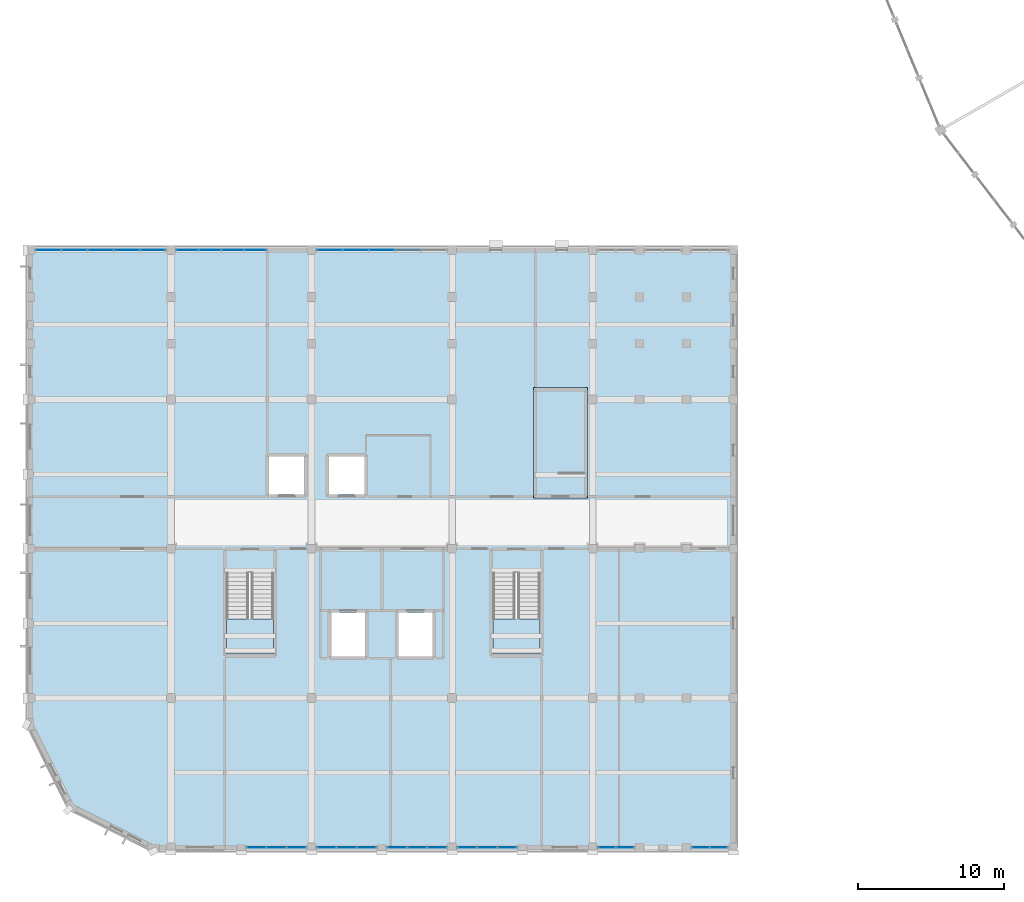
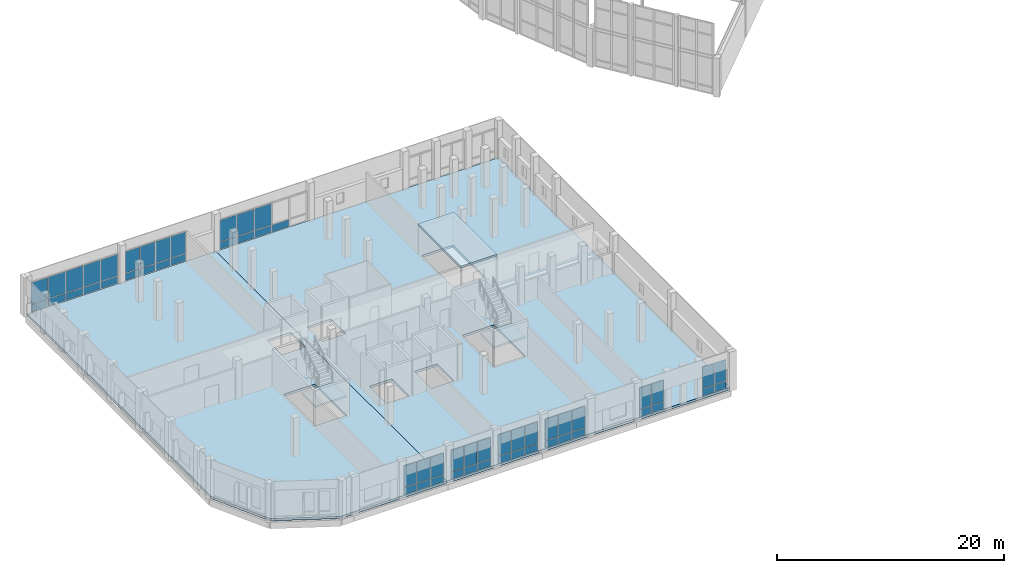
# One storey, part 67 of 93: 57 plates, 5 slabs, 11 elements without a shape of their own.
"""IFC4 building model written with IfcOpenShell, lengths in metres."""

from ifc_helpers import new_model, si_unit, direction, frame, origin, origin_2d, place, context, subcontext, project, spatial, polyline, rectangle, outline, extrude, material, layer, layer_set, type_object, element, aggregate, save


model = new_model("IFC4")

# Units and contexts
model_context = context("Model", 3, precision=1e-05, world=origin(), true_north=direction((0.0, 1.0)))
body_context = subcontext(model_context, "Body", "Model", "MODEL_VIEW")
ifc_project = project(units=[si_unit("LENGTHUNIT", "METRE"), si_unit("AREAUNIT", "SQUARE_METRE"), si_unit("VOLUMEUNIT", "CUBIC_METRE"), si_unit("PLANEANGLEUNIT", "RADIAN"), si_unit("MASSUNIT", "GRAM", prefix="KILO")], contexts=[model_context])

# Site, building, storey
site_placement = place(None, origin())
site = spatial("IfcSite", under=ifc_project, at=site_placement, CompositionType="ELEMENT")
building_placement = place(site_placement, origin())
building = spatial("IfcBuilding", under=site, at=building_placement, Name="Vondelvale Polytechnic", CompositionType="ELEMENT")
storey_placement = place(building_placement, frame((0.0, 0.0, 18.0)))
storey = spatial("IfcBuildingStorey", under=building, at=storey_placement, Name="L04", CompositionType="ELEMENT", Elevation=18.0)

# Curtain wall, plates
ifc_material_1 = material(Name="Anodised extruded aluminium 6063-T6", Category="aluminium")
curtain_wall_type_1 = type_object("IfcCurtainWallType", Name="CW-LIBRARY-BAY", PredefinedType="NOTDEFINED", material=ifc_material_1)
curtain_wall_1_placement = place(storey_placement, origin())
curtain_wall_1 = element("IfcCurtainWall", 1, at=curtain_wall_1_placement, inside=storey, type_object=curtain_wall_type_1, Name="L04 architectural curtain wall CW-02-031", PredefinedType="NOTDEFINED")
ifc_material_2 = material(Name="Double-glazed low-E insulated architectural glass", Category="glass")
ifc_layer_1 = layer(ifc_material_2, 0.028076171875)
ifc_layer_set_1 = layer_set([ifc_layer_1], Name="CW-PANEL-GLAZED")
plate_type_1 = type_object("IfcPlateType", Name="CW-PANEL-GLAZED", PredefinedType="CURTAIN_PANEL", material=ifc_layer_set_1)
plate_1_placement = place(storey_placement, frame((15.436279296875, 0.0, 0.8798828125), z_axis=(0.0, 0.0, 1.0), x_axis=(1.0, 0.0, 0.0)))
plate_1 = element("IfcPlate", 2, at=plate_1_placement, type_object=plate_type_1, Name="CW-02-031 panel 1.2", PredefinedType="CURTAIN_PANEL", context=body_context, shape_type="SweptSolid", body=[
    extrude(rectangle(XDim=1.282470703125, YDim=0.028076171875, at=origin_2d()), origin(), (0.0, 0.0, 1.0), 2.31005859375),
])
plate_2_placement = place(storey_placement, frame((16.800048828125, 0.0, 0.8798828125), z_axis=(0.0, 0.0, 1.0), x_axis=(1.0, 0.0, 0.0)))
plate_2 = element("IfcPlate", 3, at=plate_2_placement, type_object=plate_type_1, Name="CW-02-031 panel 2.2", PredefinedType="CURTAIN_PANEL", context=body_context, shape_type="SweptSolid", body=[
    extrude(rectangle(XDim=1.31494140625, YDim=0.028076171875, at=origin_2d()), origin(), (0.0, 0.0, 1.0), 2.31005859375),
])
plate_3_placement = place(storey_placement, frame((18.163818359375, 0.0, 0.8798828125), z_axis=(0.0, 0.0, 1.0), x_axis=(1.0, 0.0, 0.0)))
plate_3 = element("IfcPlate", 4, at=plate_3_placement, type_object=plate_type_1, Name="CW-02-031 panel 3.2", PredefinedType="CURTAIN_PANEL", context=body_context, shape_type="SweptSolid", body=[
    extrude(rectangle(XDim=1.282470703125, YDim=0.028076171875, at=origin_2d()), origin(), (0.0, 0.0, 1.0), 2.31005859375),
])

curtain_wall_2_placement = place(storey_placement, origin())
curtain_wall_2 = element("IfcCurtainWall", 5, at=curtain_wall_2_placement, inside=storey, type_object=curtain_wall_type_1, Name="L04 architectural curtain wall CW-02-032", PredefinedType="NOTDEFINED")
plate_4_placement = place(storey_placement, frame((20.236328125, 0.0, 0.8798828125), z_axis=(0.0, 0.0, 1.0), x_axis=(1.0, 0.0, 0.0)))
plate_4 = element("IfcPlate", 6, at=plate_4_placement, type_object=plate_type_1, Name="CW-02-032 panel 1.2", PredefinedType="CURTAIN_PANEL", context=body_context, shape_type="SweptSolid", body=[
    extrude(rectangle(XDim=1.282470703125, YDim=0.028076171875, at=origin_2d()), origin(), (0.0, 0.0, 1.0), 2.31005859375),
])
plate_5_placement = place(storey_placement, frame((21.60009765625, 0.0, 0.8798828125), z_axis=(0.0, 0.0, 1.0), x_axis=(1.0, 0.0, 0.0)))
plate_5 = element("IfcPlate", 7, at=plate_5_placement, type_object=plate_type_1, Name="CW-02-032 panel 2.2", PredefinedType="CURTAIN_PANEL", context=body_context, shape_type="SweptSolid", body=[
    extrude(rectangle(XDim=1.31494140625, YDim=0.028076171875, at=origin_2d()), origin(), (0.0, 0.0, 1.0), 2.31005859375),
])
plate_6_placement = place(storey_placement, frame((22.9638671875, 0.0, 0.8798828125), z_axis=(0.0, 0.0, 1.0), x_axis=(1.0, 0.0, 0.0)))
plate_6 = element("IfcPlate", 8, at=plate_6_placement, type_object=plate_type_1, Name="CW-02-032 panel 3.2", PredefinedType="CURTAIN_PANEL", context=body_context, shape_type="SweptSolid", body=[
    extrude(rectangle(XDim=1.282470703125, YDim=0.028076171875, at=origin_2d()), origin(), (0.0, 0.0, 1.0), 2.31005859375),
])

curtain_wall_3_placement = place(storey_placement, origin())
curtain_wall_3 = element("IfcCurtainWall", 9, at=curtain_wall_3_placement, inside=storey, type_object=curtain_wall_type_1, Name="L04 architectural curtain wall CW-02-033", PredefinedType="NOTDEFINED")
plate_7_placement = place(storey_placement, frame((25.0361328125, 0.0, 0.8798828125), z_axis=(0.0, 0.0, 1.0), x_axis=(1.0, 0.0, 0.0)))
plate_7 = element("IfcPlate", 10, at=plate_7_placement, type_object=plate_type_1, Name="CW-02-033 panel 1.2", PredefinedType="CURTAIN_PANEL", context=body_context, shape_type="SweptSolid", body=[
    extrude(rectangle(XDim=1.282470703125, YDim=0.028076171875, at=origin_2d()), origin(), (0.0, 0.0, 1.0), 2.31005859375),
])
plate_8_placement = place(storey_placement, frame((26.39990234375, 0.0, 0.8798828125), z_axis=(0.0, 0.0, 1.0), x_axis=(1.0, 0.0, 0.0)))
plate_8 = element("IfcPlate", 11, at=plate_8_placement, type_object=plate_type_1, Name="CW-02-033 panel 2.2", PredefinedType="CURTAIN_PANEL", context=body_context, shape_type="SweptSolid", body=[
    extrude(rectangle(XDim=1.31494140625, YDim=0.028076171875, at=origin_2d()), origin(), (0.0, 0.0, 1.0), 2.31005859375),
])
plate_9_placement = place(storey_placement, frame((27.763671875, 0.0, 0.8798828125), z_axis=(0.0, 0.0, 1.0), x_axis=(1.0, 0.0, 0.0)))
plate_9 = element("IfcPlate", 12, at=plate_9_placement, type_object=plate_type_1, Name="CW-02-033 panel 3.2", PredefinedType="CURTAIN_PANEL", context=body_context, shape_type="SweptSolid", body=[
    extrude(rectangle(XDim=1.282470703125, YDim=0.028076171875, at=origin_2d()), origin(), (0.0, 0.0, 1.0), 2.31005859375),
])

curtain_wall_4_placement = place(storey_placement, origin())
curtain_wall_4 = element("IfcCurtainWall", 13, at=curtain_wall_4_placement, inside=storey, type_object=curtain_wall_type_1, Name="L04 architectural curtain wall CW-02-034", PredefinedType="NOTDEFINED")
plate_10_placement = place(storey_placement, frame((29.836181640625, 0.0, 0.8798828125), z_axis=(0.0, 0.0, 1.0), x_axis=(1.0, 0.0, 0.0)))
plate_10 = element("IfcPlate", 14, at=plate_10_placement, type_object=plate_type_1, Name="CW-02-034 panel 1.2", PredefinedType="CURTAIN_PANEL", context=body_context, shape_type="SweptSolid", body=[
    extrude(rectangle(XDim=1.282470703125, YDim=0.028076171875, at=origin_2d()), origin(), (0.0, 0.0, 1.0), 2.31005859375),
])
plate_11_placement = place(storey_placement, frame((31.199951171875, 0.0, 0.8798828125), z_axis=(0.0, 0.0, 1.0), x_axis=(1.0, 0.0, 0.0)))
plate_11 = element("IfcPlate", 15, at=plate_11_placement, type_object=plate_type_1, Name="CW-02-034 panel 2.2", PredefinedType="CURTAIN_PANEL", context=body_context, shape_type="SweptSolid", body=[
    extrude(rectangle(XDim=1.31494140625, YDim=0.028076171875, at=origin_2d()), origin(), (0.0, 0.0, 1.0), 2.31005859375),
])
plate_12_placement = place(storey_placement, frame((32.563720703125, 0.0, 0.8798828125), z_axis=(0.0, 0.0, 1.0), x_axis=(1.0, 0.0, 0.0)))
plate_12 = element("IfcPlate", 16, at=plate_12_placement, type_object=plate_type_1, Name="CW-02-034 panel 3.2", PredefinedType="CURTAIN_PANEL", context=body_context, shape_type="SweptSolid", body=[
    extrude(rectangle(XDim=1.282470703125, YDim=0.028076171875, at=origin_2d()), origin(), (0.0, 0.0, 1.0), 2.31005859375),
])

curtain_wall_5_placement = place(storey_placement, origin())
curtain_wall_5 = element("IfcCurtainWall", 17, at=curtain_wall_5_placement, inside=storey, type_object=curtain_wall_type_1, Name="L04 architectural curtain wall CW-02-035", PredefinedType="NOTDEFINED")
plate_13_placement = place(storey_placement, frame((39.38134765625, 0.0, 0.8798828125), z_axis=(0.0, 0.0, 1.0), x_axis=(1.0, 0.0, 0.0)))
plate_13 = element("IfcPlate", 18, at=plate_13_placement, type_object=plate_type_1, Name="CW-02-035 panel 1.2", PredefinedType="CURTAIN_PANEL", context=body_context, shape_type="SweptSolid", body=[
    extrude(rectangle(XDim=1.172607421875, YDim=0.028076171875, at=origin_2d()), origin(), (0.0, 0.0, 1.0), 2.31005859375),
])
plate_14_placement = place(storey_placement, frame((40.61865234375, 0.0, 0.8798828125), z_axis=(0.0, 0.0, 1.0), x_axis=(1.0, 0.0, 0.0)))
plate_14 = element("IfcPlate", 19, at=plate_14_placement, type_object=plate_type_1, Name="CW-02-035 panel 2.2", PredefinedType="CURTAIN_PANEL", context=body_context, shape_type="SweptSolid", body=[
    extrude(rectangle(XDim=1.172607421875, YDim=0.028076171875, at=origin_2d()), origin(), (0.0, 0.0, 1.0), 2.31005859375),
])

curtain_wall_6_placement = place(storey_placement, origin())
curtain_wall_6 = element("IfcCurtainWall", 20, at=curtain_wall_6_placement, inside=storey, type_object=curtain_wall_type_1, Name="L04 architectural curtain wall CW-02-036", PredefinedType="NOTDEFINED")
plate_15_placement = place(storey_placement, frame((45.78125, 0.0, 0.8798828125), z_axis=(0.0, 0.0, 1.0), x_axis=(1.0, 0.0, 0.0)))
plate_15 = element("IfcPlate", 21, at=plate_15_placement, type_object=plate_type_1, Name="CW-02-036 panel 1.2", PredefinedType="CURTAIN_PANEL", context=body_context, shape_type="SweptSolid", body=[
    extrude(rectangle(XDim=1.172607421875, YDim=0.028076171875, at=origin_2d()), origin(), (0.0, 0.0, 1.0), 2.31005859375),
])
plate_16_placement = place(storey_placement, frame((47.018798828125, 0.0, 0.8798828125), z_axis=(0.0, 0.0, 1.0), x_axis=(1.0, 0.0, 0.0)))
plate_16 = element("IfcPlate", 22, at=plate_16_placement, type_object=plate_type_1, Name="CW-02-036 panel 2.2", PredefinedType="CURTAIN_PANEL", context=body_context, shape_type="SweptSolid", body=[
    extrude(rectangle(XDim=1.172607421875, YDim=0.028076171875, at=origin_2d()), origin(), (0.0, 0.0, 1.0), 2.31005859375),
])

curtain_wall_type_2 = type_object("IfcCurtainWallType", Name="CW-STUDIO-NORTH", PredefinedType="NOTDEFINED", material=ifc_material_1)
curtain_wall_7_placement = place(storey_placement, origin())
curtain_wall_7 = element("IfcCurtainWall", 23, at=curtain_wall_7_placement, inside=storey, type_object=curtain_wall_type_2, Name="L04 architectural curtain wall CW-01-037", PredefinedType="NOTDEFINED")
plate_17_placement = place(storey_placement, frame((1.240234375, 40.800048828125, 0.8798828125), z_axis=(0.0, 0.0, 1.0), x_axis=(1.0, 0.0, 0.0)))
plate_17 = element("IfcPlate", 24, at=plate_17_placement, type_object=plate_type_1, Name="CW-01-037 panel 1.2", PredefinedType="CURTAIN_PANEL", context=body_context, shape_type="SweptSolid", body=[
    extrude(rectangle(XDim=1.6904296875, YDim=0.028076171875, at=origin_2d()), origin(), (0.0, 0.0, 1.0), 2.31005859375),
])
plate_18_placement = place(storey_placement, frame((3.011962890625, 40.800048828125, 0.8798828125), z_axis=(0.0, 0.0, 1.0), x_axis=(1.0, 0.0, 0.0)))
plate_18 = element("IfcPlate", 25, at=plate_18_placement, type_object=plate_type_1, Name="CW-01-037 panel 2.2", PredefinedType="CURTAIN_PANEL", context=body_context, shape_type="SweptSolid", body=[
    extrude(rectangle(XDim=1.722900390625, YDim=0.028076171875, at=origin_2d()), origin(), (0.0, 0.0, 1.0), 2.31005859375),
])
plate_19_placement = place(storey_placement, frame((4.800048828125, 40.800048828125, 0.8798828125), z_axis=(0.0, 0.0, 1.0), x_axis=(1.0, 0.0, 0.0)))
plate_19 = element("IfcPlate", 26, at=plate_19_placement, type_object=plate_type_1, Name="CW-01-037 panel 3.2", PredefinedType="CURTAIN_PANEL", context=body_context, shape_type="SweptSolid", body=[
    extrude(rectangle(XDim=1.722900390625, YDim=0.028076171875, at=origin_2d()), origin(), (0.0, 0.0, 1.0), 2.31005859375),
])
plate_20_placement = place(storey_placement, frame((6.587890625, 40.800048828125, 0.8798828125), z_axis=(0.0, 0.0, 1.0), x_axis=(1.0, 0.0, 0.0)))
plate_20 = element("IfcPlate", 27, at=plate_20_placement, type_object=plate_type_1, Name="CW-01-037 panel 4.2", PredefinedType="CURTAIN_PANEL", context=body_context, shape_type="SweptSolid", body=[
    extrude(rectangle(XDim=1.722900390625, YDim=0.028076171875, at=origin_2d()), origin(), (0.0, 0.0, 1.0), 2.31005859375),
])
plate_21_placement = place(storey_placement, frame((8.35986328125, 40.800048828125, 0.8798828125), z_axis=(0.0, 0.0, 1.0), x_axis=(1.0, 0.0, 0.0)))
plate_21 = element("IfcPlate", 28, at=plate_21_placement, type_object=plate_type_1, Name="CW-01-037 panel 5.2", PredefinedType="CURTAIN_PANEL", context=body_context, shape_type="SweptSolid", body=[
    extrude(rectangle(XDim=1.6904296875, YDim=0.028076171875, at=origin_2d()), origin(), (0.0, 0.0, 1.0), 2.31005859375),
])

curtain_wall_8_placement = place(storey_placement, origin())
curtain_wall_8 = element("IfcCurtainWall", 29, at=curtain_wall_8_placement, inside=storey, type_object=curtain_wall_type_2, Name="L04 architectural curtain wall CW-01-038", PredefinedType="NOTDEFINED")
plate_22_placement = place(storey_placement, frame((10.72509765625, 40.800048828125, 0.8798828125), z_axis=(0.0, 0.0, 1.0), x_axis=(1.0, 0.0, 0.0)))
plate_22 = element("IfcPlate", 30, at=plate_22_placement, type_object=plate_type_1, Name="CW-01-038 panel 1.2", PredefinedType="CURTAIN_PANEL", context=body_context, shape_type="SweptSolid", body=[
    extrude(rectangle(XDim=1.4599609375, YDim=0.028076171875, at=origin_2d()), origin(), (0.0, 0.0, 1.0), 2.31005859375),
])
plate_23_placement = place(storey_placement, frame((12.266357421875, 40.800048828125, 0.8798828125), z_axis=(0.0, 0.0, 1.0), x_axis=(1.0, 0.0, 0.0)))
plate_23 = element("IfcPlate", 31, at=plate_23_placement, type_object=plate_type_1, Name="CW-01-038 panel 2.2", PredefinedType="CURTAIN_PANEL", context=body_context, shape_type="SweptSolid", body=[
    extrude(rectangle(XDim=1.492431640625, YDim=0.028076171875, at=origin_2d()), origin(), (0.0, 0.0, 1.0), 2.31005859375),
])
plate_24_placement = place(storey_placement, frame((13.82373046875, 40.800048828125, 0.8798828125), z_axis=(0.0, 0.0, 1.0), x_axis=(1.0, 0.0, 0.0)))
plate_24 = element("IfcPlate", 32, at=plate_24_placement, type_object=plate_type_1, Name="CW-01-038 panel 3.2", PredefinedType="CURTAIN_PANEL", context=body_context, shape_type="SweptSolid", body=[
    extrude(rectangle(XDim=1.492431640625, YDim=0.028076171875, at=origin_2d()), origin(), (0.0, 0.0, 1.0), 2.31005859375),
])
plate_25_placement = place(storey_placement, frame((15.364990234375, 40.800048828125, 0.8798828125), z_axis=(0.0, 0.0, 1.0), x_axis=(1.0, 0.0, 0.0)))
plate_25 = element("IfcPlate", 33, at=plate_25_placement, type_object=plate_type_1, Name="CW-01-038 panel 4.2", PredefinedType="CURTAIN_PANEL", context=body_context, shape_type="SweptSolid", body=[
    extrude(rectangle(XDim=1.4599609375, YDim=0.028076171875, at=origin_2d()), origin(), (0.0, 0.0, 1.0), 2.31005859375),
])

curtain_wall_9_placement = place(storey_placement, origin())
curtain_wall_9 = element("IfcCurtainWall", 34, at=curtain_wall_9_placement, inside=storey, type_object=curtain_wall_type_2, Name="L04 architectural curtain wall CW-01-039", PredefinedType="NOTDEFINED")
plate_26_placement = place(storey_placement, frame((20.440185546875, 40.800048828125, 0.8798828125), z_axis=(0.0, 0.0, 1.0), x_axis=(1.0, 0.0, 0.0)))
plate_26 = element("IfcPlate", 35, at=plate_26_placement, type_object=plate_type_1, Name="CW-01-039 panel 1.2", PredefinedType="CURTAIN_PANEL", context=body_context, shape_type="SweptSolid", body=[
    extrude(rectangle(XDim=1.6904296875, YDim=0.028076171875, at=origin_2d()), origin(), (0.0, 0.0, 1.0), 2.31005859375),
])
plate_27_placement = place(storey_placement, frame((22.2119140625, 40.800048828125, 0.8798828125), z_axis=(0.0, 0.0, 1.0), x_axis=(1.0, 0.0, 0.0)))
plate_27 = element("IfcPlate", 36, at=plate_27_placement, type_object=plate_type_1, Name="CW-01-039 panel 2.2", PredefinedType="CURTAIN_PANEL", context=body_context, shape_type="SweptSolid", body=[
    extrude(rectangle(XDim=1.722900390625, YDim=0.028076171875, at=origin_2d()), origin(), (0.0, 0.0, 1.0), 2.31005859375),
])
plate_28_placement = place(storey_placement, frame((24.0, 40.800048828125, 0.8798828125), z_axis=(0.0, 0.0, 1.0), x_axis=(1.0, 0.0, 0.0)))
plate_28 = element("IfcPlate", 37, at=plate_28_placement, type_object=plate_type_1, Name="CW-01-039 panel 3.2", PredefinedType="CURTAIN_PANEL", context=body_context, shape_type="SweptSolid", body=[
    extrude(rectangle(XDim=1.722900390625, YDim=0.028076171875, at=origin_2d()), origin(), (0.0, 0.0, 1.0), 2.31005859375),
])

# Plate
ifc_material_3 = material(Name="Kiln-fired architectural terracotta", Category="masonry")
ifc_layer_2 = layer(ifc_material_3, 0.035888671875)
ifc_layer_set_2 = layer_set([ifc_layer_2], Name="CW-PANEL-SPANDREL")
plate_type_2 = type_object("IfcPlateType", Name="CW-PANEL-SPANDREL", PredefinedType="CURTAIN_PANEL", material=ifc_layer_set_2)
plate_29_placement = place(storey_placement, frame((15.436279296875, 0.0, 0.06005859375), z_axis=(0.0, 0.0, 1.0), x_axis=(1.0, 0.0, 0.0)))
plate_29 = element("IfcPlate", 38, at=plate_29_placement, type_object=plate_type_2, Name="CW-02-031 panel 1.1", PredefinedType="CURTAIN_PANEL", context=body_context, shape_type="SweptSolid", body=[
    extrude(rectangle(XDim=1.282470703125, YDim=0.035888671875, at=origin_2d()), origin(), (0.0, 0.0, 1.0), 0.760009765625),
])

plate_30_placement = place(storey_placement, frame((16.800048828125, 0.0, 0.06005859375), z_axis=(0.0, 0.0, 1.0), x_axis=(1.0, 0.0, 0.0)))
plate_30 = element("IfcPlate", 39, at=plate_30_placement, type_object=plate_type_2, Name="CW-02-031 panel 2.1", PredefinedType="CURTAIN_PANEL", context=body_context, shape_type="SweptSolid", body=[
    extrude(rectangle(XDim=1.31494140625, YDim=0.035888671875, at=origin_2d()), origin(), (0.0, 0.0, 1.0), 0.760009765625),
])

plate_31_placement = place(storey_placement, frame((18.163818359375, 0.0, 0.06005859375), z_axis=(0.0, 0.0, 1.0), x_axis=(1.0, 0.0, 0.0)))
plate_31 = element("IfcPlate", 40, at=plate_31_placement, type_object=plate_type_2, Name="CW-02-031 panel 3.1", PredefinedType="CURTAIN_PANEL", context=body_context, shape_type="SweptSolid", body=[
    extrude(rectangle(XDim=1.282470703125, YDim=0.035888671875, at=origin_2d()), origin(), (0.0, 0.0, 1.0), 0.760009765625),
])

aggregate(curtain_wall_1, [plate_29, plate_1, plate_30, plate_2, plate_31, plate_3])

plate_32_placement = place(storey_placement, frame((20.236328125, 0.0, 0.06005859375), z_axis=(0.0, 0.0, 1.0), x_axis=(1.0, 0.0, 0.0)))
plate_32 = element("IfcPlate", 41, at=plate_32_placement, type_object=plate_type_2, Name="CW-02-032 panel 1.1", PredefinedType="CURTAIN_PANEL", context=body_context, shape_type="SweptSolid", body=[
    extrude(rectangle(XDim=1.282470703125, YDim=0.035888671875, at=origin_2d()), origin(), (0.0, 0.0, 1.0), 0.760009765625),
])

plate_33_placement = place(storey_placement, frame((21.60009765625, 0.0, 0.06005859375), z_axis=(0.0, 0.0, 1.0), x_axis=(1.0, 0.0, 0.0)))
plate_33 = element("IfcPlate", 42, at=plate_33_placement, type_object=plate_type_2, Name="CW-02-032 panel 2.1", PredefinedType="CURTAIN_PANEL", context=body_context, shape_type="SweptSolid", body=[
    extrude(rectangle(XDim=1.31494140625, YDim=0.035888671875, at=origin_2d()), origin(), (0.0, 0.0, 1.0), 0.760009765625),
])

plate_34_placement = place(storey_placement, frame((22.9638671875, 0.0, 0.06005859375), z_axis=(0.0, 0.0, 1.0), x_axis=(1.0, 0.0, 0.0)))
plate_34 = element("IfcPlate", 43, at=plate_34_placement, type_object=plate_type_2, Name="CW-02-032 panel 3.1", PredefinedType="CURTAIN_PANEL", context=body_context, shape_type="SweptSolid", body=[
    extrude(rectangle(XDim=1.282470703125, YDim=0.035888671875, at=origin_2d()), origin(), (0.0, 0.0, 1.0), 0.760009765625),
])

aggregate(curtain_wall_2, [plate_32, plate_4, plate_33, plate_5, plate_34, plate_6])

plate_35_placement = place(storey_placement, frame((25.0361328125, 0.0, 0.06005859375), z_axis=(0.0, 0.0, 1.0), x_axis=(1.0, 0.0, 0.0)))
plate_35 = element("IfcPlate", 44, at=plate_35_placement, type_object=plate_type_2, Name="CW-02-033 panel 1.1", PredefinedType="CURTAIN_PANEL", context=body_context, shape_type="SweptSolid", body=[
    extrude(rectangle(XDim=1.282470703125, YDim=0.035888671875, at=origin_2d()), origin(), (0.0, 0.0, 1.0), 0.760009765625),
])

plate_36_placement = place(storey_placement, frame((26.39990234375, 0.0, 0.06005859375), z_axis=(0.0, 0.0, 1.0), x_axis=(1.0, 0.0, 0.0)))
plate_36 = element("IfcPlate", 45, at=plate_36_placement, type_object=plate_type_2, Name="CW-02-033 panel 2.1", PredefinedType="CURTAIN_PANEL", context=body_context, shape_type="SweptSolid", body=[
    extrude(rectangle(XDim=1.31494140625, YDim=0.035888671875, at=origin_2d()), origin(), (0.0, 0.0, 1.0), 0.760009765625),
])

plate_37_placement = place(storey_placement, frame((27.763671875, 0.0, 0.06005859375), z_axis=(0.0, 0.0, 1.0), x_axis=(1.0, 0.0, 0.0)))
plate_37 = element("IfcPlate", 46, at=plate_37_placement, type_object=plate_type_2, Name="CW-02-033 panel 3.1", PredefinedType="CURTAIN_PANEL", context=body_context, shape_type="SweptSolid", body=[
    extrude(rectangle(XDim=1.282470703125, YDim=0.035888671875, at=origin_2d()), origin(), (0.0, 0.0, 1.0), 0.760009765625),
])

aggregate(curtain_wall_3, [plate_35, plate_7, plate_36, plate_8, plate_37, plate_9])

plate_38_placement = place(storey_placement, frame((29.836181640625, 0.0, 0.06005859375), z_axis=(0.0, 0.0, 1.0), x_axis=(1.0, 0.0, 0.0)))
plate_38 = element("IfcPlate", 47, at=plate_38_placement, type_object=plate_type_2, Name="CW-02-034 panel 1.1", PredefinedType="CURTAIN_PANEL", context=body_context, shape_type="SweptSolid", body=[
    extrude(rectangle(XDim=1.282470703125, YDim=0.035888671875, at=origin_2d()), origin(), (0.0, 0.0, 1.0), 0.760009765625),
])

plate_39_placement = place(storey_placement, frame((31.199951171875, 0.0, 0.06005859375), z_axis=(0.0, 0.0, 1.0), x_axis=(1.0, 0.0, 0.0)))
plate_39 = element("IfcPlate", 48, at=plate_39_placement, type_object=plate_type_2, Name="CW-02-034 panel 2.1", PredefinedType="CURTAIN_PANEL", context=body_context, shape_type="SweptSolid", body=[
    extrude(rectangle(XDim=1.31494140625, YDim=0.035888671875, at=origin_2d()), origin(), (0.0, 0.0, 1.0), 0.760009765625),
])

plate_40_placement = place(storey_placement, frame((32.563720703125, 0.0, 0.06005859375), z_axis=(0.0, 0.0, 1.0), x_axis=(1.0, 0.0, 0.0)))
plate_40 = element("IfcPlate", 49, at=plate_40_placement, type_object=plate_type_2, Name="CW-02-034 panel 3.1", PredefinedType="CURTAIN_PANEL", context=body_context, shape_type="SweptSolid", body=[
    extrude(rectangle(XDim=1.282470703125, YDim=0.035888671875, at=origin_2d()), origin(), (0.0, 0.0, 1.0), 0.760009765625),
])

aggregate(curtain_wall_4, [plate_38, plate_10, plate_39, plate_11, plate_40, plate_12])

plate_41_placement = place(storey_placement, frame((39.38134765625, 0.0, 0.06005859375), z_axis=(0.0, 0.0, 1.0), x_axis=(1.0, 0.0, 0.0)))
plate_41 = element("IfcPlate", 50, at=plate_41_placement, type_object=plate_type_2, Name="CW-02-035 panel 1.1", PredefinedType="CURTAIN_PANEL", context=body_context, shape_type="SweptSolid", body=[
    extrude(rectangle(XDim=1.172607421875, YDim=0.035888671875, at=origin_2d()), origin(), (0.0, 0.0, 1.0), 0.760009765625),
])

plate_42_placement = place(storey_placement, frame((40.61865234375, 0.0, 0.06005859375), z_axis=(0.0, 0.0, 1.0), x_axis=(1.0, 0.0, 0.0)))
plate_42 = element("IfcPlate", 51, at=plate_42_placement, type_object=plate_type_2, Name="CW-02-035 panel 2.1", PredefinedType="CURTAIN_PANEL", context=body_context, shape_type="SweptSolid", body=[
    extrude(rectangle(XDim=1.172607421875, YDim=0.035888671875, at=origin_2d()), origin(), (0.0, 0.0, 1.0), 0.760009765625),
])

aggregate(curtain_wall_5, [plate_41, plate_13, plate_42, plate_14])

plate_43_placement = place(storey_placement, frame((45.78125, 0.0, 0.06005859375), z_axis=(0.0, 0.0, 1.0), x_axis=(1.0, 0.0, 0.0)))
plate_43 = element("IfcPlate", 52, at=plate_43_placement, type_object=plate_type_2, Name="CW-02-036 panel 1.1", PredefinedType="CURTAIN_PANEL", context=body_context, shape_type="SweptSolid", body=[
    extrude(rectangle(XDim=1.172607421875, YDim=0.035888671875, at=origin_2d()), origin(), (0.0, 0.0, 1.0), 0.760009765625),
])

plate_44_placement = place(storey_placement, frame((47.018798828125, 0.0, 0.06005859375), z_axis=(0.0, 0.0, 1.0), x_axis=(1.0, 0.0, 0.0)))
plate_44 = element("IfcPlate", 53, at=plate_44_placement, type_object=plate_type_2, Name="CW-02-036 panel 2.1", PredefinedType="CURTAIN_PANEL", context=body_context, shape_type="SweptSolid", body=[
    extrude(rectangle(XDim=1.172607421875, YDim=0.035888671875, at=origin_2d()), origin(), (0.0, 0.0, 1.0), 0.760009765625),
])

aggregate(curtain_wall_6, [plate_43, plate_15, plate_44, plate_16])

plate_45_placement = place(storey_placement, frame((1.240234375, 40.800048828125, 0.06005859375), z_axis=(0.0, 0.0, 1.0), x_axis=(1.0, 0.0, 0.0)))
plate_45 = element("IfcPlate", 54, at=plate_45_placement, type_object=plate_type_2, Name="CW-01-037 panel 1.1", PredefinedType="CURTAIN_PANEL", context=body_context, shape_type="SweptSolid", body=[
    extrude(rectangle(XDim=1.6904296875, YDim=0.035888671875, at=origin_2d()), origin(), (0.0, 0.0, 1.0), 0.760009765625),
])

plate_46_placement = place(storey_placement, frame((3.011962890625, 40.800048828125, 0.06005859375), z_axis=(0.0, 0.0, 1.0), x_axis=(1.0, 0.0, 0.0)))
plate_46 = element("IfcPlate", 55, at=plate_46_placement, type_object=plate_type_2, Name="CW-01-037 panel 2.1", PredefinedType="CURTAIN_PANEL", context=body_context, shape_type="SweptSolid", body=[
    extrude(rectangle(XDim=1.722900390625, YDim=0.035888671875, at=origin_2d()), origin(), (0.0, 0.0, 1.0), 0.760009765625),
])

plate_47_placement = place(storey_placement, frame((4.800048828125, 40.800048828125, 0.06005859375), z_axis=(0.0, 0.0, 1.0), x_axis=(1.0, 0.0, 0.0)))
plate_47 = element("IfcPlate", 56, at=plate_47_placement, type_object=plate_type_2, Name="CW-01-037 panel 3.1", PredefinedType="CURTAIN_PANEL", context=body_context, shape_type="SweptSolid", body=[
    extrude(rectangle(XDim=1.722900390625, YDim=0.035888671875, at=origin_2d()), origin(), (0.0, 0.0, 1.0), 0.760009765625),
])

plate_48_placement = place(storey_placement, frame((6.587890625, 40.800048828125, 0.06005859375), z_axis=(0.0, 0.0, 1.0), x_axis=(1.0, 0.0, 0.0)))
plate_48 = element("IfcPlate", 57, at=plate_48_placement, type_object=plate_type_2, Name="CW-01-037 panel 4.1", PredefinedType="CURTAIN_PANEL", context=body_context, shape_type="SweptSolid", body=[
    extrude(rectangle(XDim=1.722900390625, YDim=0.035888671875, at=origin_2d()), origin(), (0.0, 0.0, 1.0), 0.760009765625),
])

plate_49_placement = place(storey_placement, frame((8.35986328125, 40.800048828125, 0.06005859375), z_axis=(0.0, 0.0, 1.0), x_axis=(1.0, 0.0, 0.0)))
plate_49 = element("IfcPlate", 58, at=plate_49_placement, type_object=plate_type_2, Name="CW-01-037 panel 5.1", PredefinedType="CURTAIN_PANEL", context=body_context, shape_type="SweptSolid", body=[
    extrude(rectangle(XDim=1.6904296875, YDim=0.035888671875, at=origin_2d()), origin(), (0.0, 0.0, 1.0), 0.760009765625),
])

aggregate(curtain_wall_7, [plate_45, plate_17, plate_46, plate_18, plate_47, plate_19, plate_48, plate_20, plate_49, plate_21])

plate_50_placement = place(storey_placement, frame((10.72509765625, 40.800048828125, 0.06005859375), z_axis=(0.0, 0.0, 1.0), x_axis=(1.0, 0.0, 0.0)))
plate_50 = element("IfcPlate", 59, at=plate_50_placement, type_object=plate_type_2, Name="CW-01-038 panel 1.1", PredefinedType="CURTAIN_PANEL", context=body_context, shape_type="SweptSolid", body=[
    extrude(rectangle(XDim=1.4599609375, YDim=0.035888671875, at=origin_2d()), origin(), (0.0, 0.0, 1.0), 0.760009765625),
])

plate_51_placement = place(storey_placement, frame((12.266357421875, 40.800048828125, 0.06005859375), z_axis=(0.0, 0.0, 1.0), x_axis=(1.0, 0.0, 0.0)))
plate_51 = element("IfcPlate", 60, at=plate_51_placement, type_object=plate_type_2, Name="CW-01-038 panel 2.1", PredefinedType="CURTAIN_PANEL", context=body_context, shape_type="SweptSolid", body=[
    extrude(rectangle(XDim=1.492431640625, YDim=0.035888671875, at=origin_2d()), origin(), (0.0, 0.0, 1.0), 0.760009765625),
])

plate_52_placement = place(storey_placement, frame((13.82373046875, 40.800048828125, 0.06005859375), z_axis=(0.0, 0.0, 1.0), x_axis=(1.0, 0.0, 0.0)))
plate_52 = element("IfcPlate", 61, at=plate_52_placement, type_object=plate_type_2, Name="CW-01-038 panel 3.1", PredefinedType="CURTAIN_PANEL", context=body_context, shape_type="SweptSolid", body=[
    extrude(rectangle(XDim=1.492431640625, YDim=0.035888671875, at=origin_2d()), origin(), (0.0, 0.0, 1.0), 0.760009765625),
])

plate_53_placement = place(storey_placement, frame((15.364990234375, 40.800048828125, 0.06005859375), z_axis=(0.0, 0.0, 1.0), x_axis=(1.0, 0.0, 0.0)))
plate_53 = element("IfcPlate", 62, at=plate_53_placement, type_object=plate_type_2, Name="CW-01-038 panel 4.1", PredefinedType="CURTAIN_PANEL", context=body_context, shape_type="SweptSolid", body=[
    extrude(rectangle(XDim=1.4599609375, YDim=0.035888671875, at=origin_2d()), origin(), (0.0, 0.0, 1.0), 0.760009765625),
])

aggregate(curtain_wall_8, [plate_50, plate_22, plate_51, plate_23, plate_52, plate_24, plate_53, plate_25])

plate_54_placement = place(storey_placement, frame((20.440185546875, 40.800048828125, 0.06005859375), z_axis=(0.0, 0.0, 1.0), x_axis=(1.0, 0.0, 0.0)))
plate_54 = element("IfcPlate", 63, at=plate_54_placement, type_object=plate_type_2, Name="CW-01-039 panel 1.1", PredefinedType="CURTAIN_PANEL", context=body_context, shape_type="SweptSolid", body=[
    extrude(rectangle(XDim=1.6904296875, YDim=0.035888671875, at=origin_2d()), origin(), (0.0, 0.0, 1.0), 0.760009765625),
])

plate_55_placement = place(storey_placement, frame((22.2119140625, 40.800048828125, 0.06005859375), z_axis=(0.0, 0.0, 1.0), x_axis=(1.0, 0.0, 0.0)))
plate_55 = element("IfcPlate", 64, at=plate_55_placement, type_object=plate_type_2, Name="CW-01-039 panel 2.1", PredefinedType="CURTAIN_PANEL", context=body_context, shape_type="SweptSolid", body=[
    extrude(rectangle(XDim=1.722900390625, YDim=0.035888671875, at=origin_2d()), origin(), (0.0, 0.0, 1.0), 0.760009765625),
])

plate_56_placement = place(storey_placement, frame((24.0, 40.800048828125, 0.06005859375), z_axis=(0.0, 0.0, 1.0), x_axis=(1.0, 0.0, 0.0)))
plate_56 = element("IfcPlate", 65, at=plate_56_placement, type_object=plate_type_2, Name="CW-01-039 panel 3.1", PredefinedType="CURTAIN_PANEL", context=body_context, shape_type="SweptSolid", body=[
    extrude(rectangle(XDim=1.722900390625, YDim=0.035888671875, at=origin_2d()), origin(), (0.0, 0.0, 1.0), 0.760009765625),
])

plate_57_placement = place(storey_placement, frame((25.7880859375, 40.800048828125, 0.06005859375), z_axis=(0.0, 0.0, 1.0), x_axis=(1.0, 0.0, 0.0)))
plate_57 = element("IfcPlate", 66, at=plate_57_placement, type_object=plate_type_2, Name="CW-01-039 panel 4.1", PredefinedType="CURTAIN_PANEL", context=body_context, shape_type="SweptSolid", body=[
    extrude(rectangle(XDim=1.722900390625, YDim=0.035888671875, at=origin_2d()), origin(), (0.0, 0.0, 1.0), 0.760009765625),
])

aggregate(curtain_wall_9, [plate_54, plate_26, plate_55, plate_27, plate_56, plate_28, plate_57])

# Slabs
ifc_material_4 = material(Name="Concrete N40 (f'c = 40 MPa)", Category="concrete")
ifc_layer_3 = layer(ifc_material_4, 0.25)
ifc_layer_set_3 = layer_set([ifc_layer_3], Name="SLB-LAB-250")
slab_type_1 = type_object("IfcSlabType", Name="SLB-LAB-250", PredefinedType="FLOOR", material=ifc_layer_set_3)
slab_1_placement = place(storey_placement, frame((0.0, 0.0, -0.25)))
element("IfcSlab", 67, at=slab_1_placement, inside=storey, type_object=slab_type_1, Name="L04 corner wing West slab", PredefinedType="FLOOR", context=body_context, shape_type="SweptSolid", body=[
    extrude(outline(polyline([(8.39990234375, 0.0), (19.199951171875, 0.0), (19.199951171875, 40.800048828125), (0.0, 40.800048828125), (0.0, 8.39990234375), (2.800048828125, 2.800048828125), (8.39990234375, 0.0)]), holes=[polyline([(13.39990234375, 18.75), (13.39990234375, 13.199951171875), (16.60009765625, 13.199951171875), (16.60009765625, 18.75), (13.39990234375, 18.75)]), polyline([(16.300048828125, 24.10009765625), (18.699951171875, 24.10009765625), (18.699951171875, 26.699951171875), (16.300048828125, 26.699951171875), (16.300048828125, 24.10009765625)])]), origin(), (0.0, 0.0, 1.0), 0.25),
])
slab_2_placement = place(storey_placement, frame((0.0, 0.0, -0.25)))
element("IfcSlab", 68, at=slab_2_placement, inside=storey, type_object=slab_type_1, Name="L04 corner wing East slab", PredefinedType="FLOOR", context=body_context, shape_type="SweptSolid", body=[
    extrude(outline(polyline([(19.199951171875, 0.0), (48.0, 0.0), (48.0, 40.800048828125), (19.199951171875, 40.800048828125), (19.199951171875, 0.0)]), holes=[polyline([(31.60009765625, 18.75), (31.60009765625, 13.199951171875), (34.800048828125, 13.199951171875), (34.800048828125, 18.75), (31.60009765625, 18.75)]), polyline([(37.800048828125, 25.60009765625), (37.800048828125, 31.14990234375), (34.60009765625, 31.14990234375), (34.60009765625, 25.60009765625), (37.800048828125, 25.60009765625)]), polyline([(20.550048828125, 13.050048828125), (22.85009765625, 13.050048828125), (22.85009765625, 16.050048828125), (20.550048828125, 16.050048828125), (20.550048828125, 13.050048828125)]), polyline([(25.14990234375, 13.050048828125), (27.449951171875, 13.050048828125), (27.449951171875, 16.050048828125), (25.14990234375, 16.050048828125), (25.14990234375, 13.050048828125)]), polyline([(20.39990234375, 24.10009765625), (22.800048828125, 24.10009765625), (22.800048828125, 26.699951171875), (20.39990234375, 26.699951171875), (20.39990234375, 24.10009765625)])]), origin(), (0.0, 0.0, 1.0), 0.25),
])

# Stair, slab
stair_type = type_object("IfcStairType", Name="STR-DOG-1500", PredefinedType="HALF_TURN_STAIR", material=ifc_material_4)
stair_1_placement = place(storey_placement, origin())
stair_1 = element("IfcStair", 69, at=stair_1_placement, inside=storey, type_object=stair_type, Name="L04 ST-03", PredefinedType="HALF_TURN_STAIR")
ifc_layer_4 = layer(ifc_material_4, 0.199951171875)
ifc_layer_set_4 = layer_set([ifc_layer_4], Name="SLB-LANDING-200")
slab_type_2 = type_object("IfcSlabType", Name="SLB-LANDING-200", PredefinedType="LANDING", material=ifc_layer_set_4)
slab_3_placement = place(storey_placement, frame((0.0, 0.0, 1.89990234375)))
slab_3 = element("IfcSlab", 70, at=slab_3_placement, type_object=slab_type_2, Name="ST-03 landing 1", PredefinedType="LANDING", context=body_context, shape_type="SweptSolid", body=[
    extrude(outline(polyline([(13.39990234375, 15.614990234375), (13.39990234375, 13.199951171875), (16.60009765625, 13.199951171875), (16.60009765625, 15.614990234375), (13.39990234375, 15.614990234375)])), origin(), (0.0, 0.0, 1.0), 0.2001953125),
])
aggregate(stair_1, [slab_3])

stair_2_placement = place(storey_placement, origin())
stair_2 = element("IfcStair", 71, at=stair_2_placement, inside=storey, type_object=stair_type, Name="L04 ST-04", PredefinedType="HALF_TURN_STAIR")
slab_4_placement = place(storey_placement, frame((0.0, 0.0, 1.89990234375)))
slab_4 = element("IfcSlab", 72, at=slab_4_placement, type_object=slab_type_2, Name="ST-04 landing 1", PredefinedType="LANDING", context=body_context, shape_type="SweptSolid", body=[
    extrude(outline(polyline([(31.60009765625, 15.614990234375), (31.60009765625, 13.199951171875), (34.800048828125, 13.199951171875), (34.800048828125, 15.614990234375), (31.60009765625, 15.614990234375)])), origin(), (0.0, 0.0, 1.0), 0.2001953125),
])
aggregate(stair_2, [slab_4])

# Slab
ifc_layer_5 = layer(ifc_material_4, 0.199951171875)
ifc_layer_set_5 = layer_set([ifc_layer_5], Name="SLB-ROOF-200")
slab_type_3 = type_object("IfcSlabType", Name="SLB-ROOF-200", PredefinedType="ROOF", material=ifc_layer_set_5)
slab_5_placement = place(storey_placement, frame((0.0, 0.0, 3.14990234375)))
element("IfcSlab", 73, at=slab_5_placement, inside=storey, type_object=slab_type_3, Name="ST-05 stair bulkhead roof slab", PredefinedType="ROOF", context=body_context, shape_type="SweptSolid", body=[
    extrude(outline(polyline([(38.050048828125, 23.85009765625), (38.050048828125, 31.39990234375), (34.35009765625, 31.39990234375), (34.35009765625, 23.85009765625), (38.050048828125, 23.85009765625)])), origin(), (0.0, 0.0, 1.0), 0.2001953125),
])

save(model, "model.ifc")
